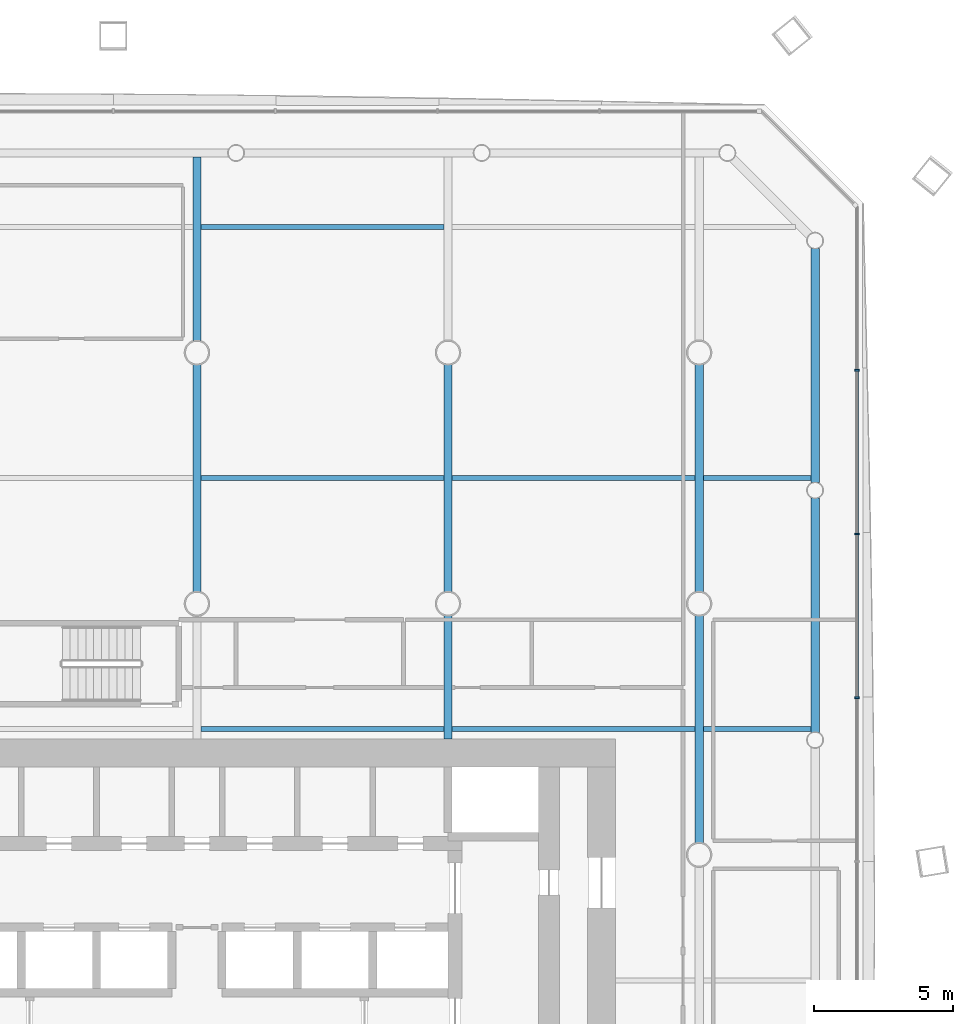
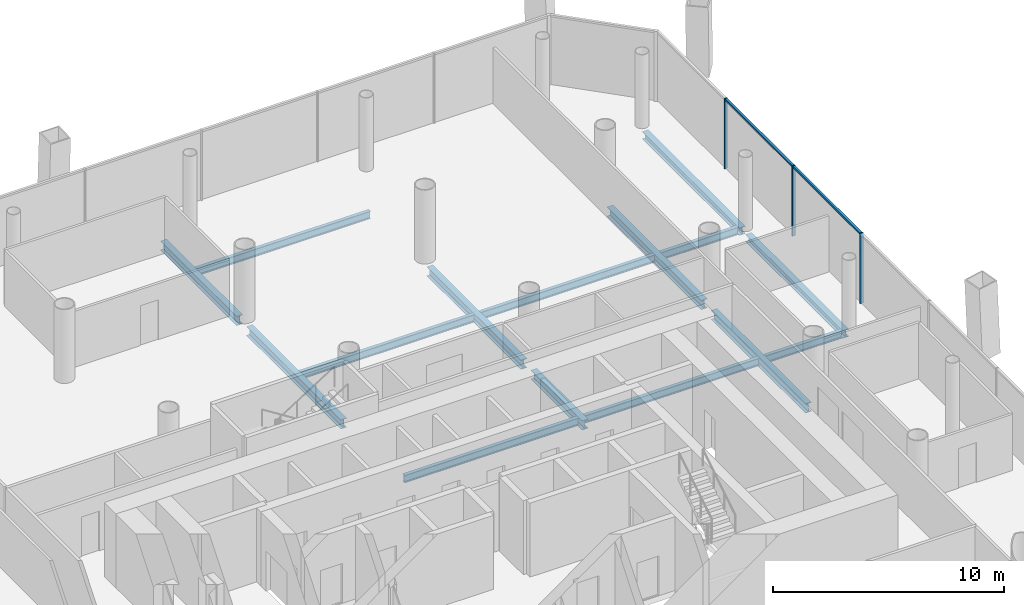
# One storey, part 10 of 21: 15 beams, 5 members, 1 element without a shape of its own.
"""IFC4 building model written with IfcOpenShell, lengths in metres."""

from ifc_helpers import new_model, si_unit, direction, frame, origin, origin_2d, place, context, subcontext, project, spatial, rectangle, i_section, extrude, material, material_profile, profile_set, type_object, element, aggregate, save


model = new_model("IFC4")

# Units and contexts
model_context = context("Model", 3, precision=1e-05, world=origin(), true_north=direction((0.0, 1.0)))
body_context = subcontext(model_context, "Body", "Model", "MODEL_VIEW")
ifc_project = project(units=[si_unit("LENGTHUNIT", "METRE"), si_unit("AREAUNIT", "SQUARE_METRE"), si_unit("VOLUMEUNIT", "CUBIC_METRE"), si_unit("PLANEANGLEUNIT", "RADIAN"), si_unit("MASSUNIT", "GRAM", prefix="KILO")], contexts=[model_context])

# Site, building, storey
site_placement = place(None, origin())
site = spatial("IfcSite", under=ifc_project, at=site_placement, CompositionType="ELEMENT")
building_placement = place(site_placement, origin())
building = spatial("IfcBuilding", under=site, at=building_placement, Name="Tskaro Facet Tower", CompositionType="ELEMENT")
storey_placement = place(building_placement, frame((0.0, 0.0, 42.0)))
storey = spatial("IfcBuildingStorey", under=building, at=storey_placement, Name="L09", CompositionType="ELEMENT", Elevation=42.0)

# Curtain wall, members
ifc_material_1 = material(Name="Bronze anodised aluminium 6063-T6", Category="aluminium")
curtain_wall_type = type_object("IfcCurtainWallType", Name="Bronze office curtain wall (FW1)", PredefinedType="NOTDEFINED", material=ifc_material_1)
curtain_wall_placement = place(storey_placement, origin())
curtain_wall = element("IfcCurtainWall", 1, at=curtain_wall_placement, inside=storey, type_object=curtain_wall_type, Name="FW1 east facet L09", PredefinedType="NOTDEFINED")
ifc_material_profile_1 = material_profile(ifc_material_1, rectangle(XDim=0.06005859375, YDim=0.159912109375, at=origin_2d()), Name="Mullion 60x160")
ifc_profile_set_1 = profile_set([ifc_material_profile_1], Name="Bronze anodised aluminium 6063-T6")
member_type_1 = type_object("IfcMemberType", Name="FW1 bronze mullion 60x160", PredefinedType="MULLION", material=ifc_profile_set_1)
member_1_placement = place(storey_placement, frame((23.654052734375, 5.62939453125, 0.0), z_axis=(0.0, 0.0, 1.0), x_axis=(0.0, 1.0, 0.0)))
member_1 = element("IfcMember", 2, at=member_1_placement, type_object=member_type_1, Name="FW1 east mullion 5", PredefinedType="MULLION", context=body_context, shape_type="SweptSolid", body=[
    extrude(rectangle(XDim=0.06005859375, YDim=0.159912109375, at=origin_2d()), origin(), (0.0, 0.0, 1.0), 3.699951171875),
])
member_2_placement = place(storey_placement, frame((23.654052734375, 11.498046875, 0.0), z_axis=(0.0, 0.0, 1.0), x_axis=(0.0, 1.0, 0.0)))
member_2 = element("IfcMember", 3, at=member_2_placement, type_object=member_type_1, Name="FW1 east mullion 6", PredefinedType="MULLION", context=body_context, shape_type="SweptSolid", body=[
    extrude(rectangle(XDim=0.06005859375, YDim=0.159912109375, at=origin_2d()), origin(), (0.0, 0.0, 1.0), 3.699951171875),
])
member_3_placement = place(storey_placement, frame((23.654052734375, 17.366455078125, 0.0), z_axis=(0.0, 0.0, 1.0), x_axis=(0.0, 1.0, 0.0)))
member_3 = element("IfcMember", 4, at=member_3_placement, type_object=member_type_1, Name="FW1 east mullion 7", PredefinedType="MULLION", context=body_context, shape_type="SweptSolid", body=[
    extrude(rectangle(XDim=0.06005859375, YDim=0.159912109375, at=origin_2d()), origin(), (0.0, 0.0, 1.0), 3.699951171875),
])
ifc_material_profile_2 = material_profile(ifc_material_1, rectangle(XDim=0.1201171875, YDim=0.10009765625, at=origin_2d()), Name="Transom 120x100")
ifc_profile_set_2 = profile_set([ifc_material_profile_2], Name="Bronze anodised aluminium 6063-T6")
member_type_2 = type_object("IfcMemberType", Name="FW1 bronze transom 120x100", PredefinedType="USERDEFINED", material=ifc_profile_set_2)
member_4_placement = place(storey_placement, frame((23.654052734375, 5.659423828125, 3.64990234375), z_axis=(0.0, 1.0, 0.0), x_axis=(-1.0, 0.0, 0.0)))
member_4 = element("IfcMember", 5, at=member_4_placement, type_object=member_type_2, Name="FW1 east transom 6.1", ObjectType="TRANSOM", PredefinedType="USERDEFINED", context=body_context, shape_type="SweptSolid", body=[
    extrude(rectangle(XDim=0.1201171875, YDim=0.10009765625, at=origin_2d()), origin(), (0.0, 0.0, 1.0), 5.80859375),
])
member_5_placement = place(storey_placement, frame((23.654052734375, 11.528076171875, 3.64990234375), z_axis=(0.0, 1.0, 0.0), x_axis=(-1.0, 0.0, 0.0)))
member_5 = element("IfcMember", 6, at=member_5_placement, type_object=member_type_2, Name="FW1 east transom 7.1", ObjectType="TRANSOM", PredefinedType="USERDEFINED", context=body_context, shape_type="SweptSolid", body=[
    extrude(rectangle(XDim=0.1201171875, YDim=0.10009765625, at=origin_2d()), origin(), (0.0, 0.0, 1.0), 5.808349609375),
])
aggregate(curtain_wall, [member_1, member_2, member_3, member_4, member_5])

# Beams
ifc_material_2 = material(Name="Steel S355J2", Category="steel")
ifc_material_profile_3 = material_profile(ifc_material_2, i_section(OverallWidth=0.300048828125, OverallDepth=0.39990234375, WebThickness=0.013427734375, FlangeThickness=0.02392578125, FilletRadius=0.027099609375, at=origin_2d()), Name="HE 400 B")
ifc_profile_set_3 = profile_set([ifc_material_profile_3], Name="Steel S355J2")
beam_type_1 = type_object("IfcBeamType", Name="HE 400 B ring beam", PredefinedType="BEAM", material=ifc_profile_set_3)
for number, where, z_axis, x_axis, name in (
    (7, (22.156982421875, 4.39111328125, -0.340087890625), (0.0, 1.0, 0.0), (-1.0, 0.0, 0.0), "HE 400 B EB11-1"),
    (8, (22.156982421875, 13.339111328125, -0.340087890625), (0.0, 1.0, 0.0), (-1.0, 0.0, 0.0), "HE 400 B EB12-1"),
):
    element("IfcBeam", number, at=place(storey_placement, frame(where, z_axis=z_axis, x_axis=x_axis)), inside=storey, type_object=beam_type_1, Name=name, PredefinedType="BEAM", context=body_context, shape_type="SweptSolid", body=[
        extrude(i_section(OverallWidth=0.300048828125, OverallDepth=0.39990234375, WebThickness=0.013427734375, FlangeThickness=0.02392578125, FilletRadius=0.027099609375, at=origin_2d()), origin(), (0.0, 0.0, 1.0), 8.39794921875),
    ])
ifc_material_profile_4 = material_profile(ifc_material_2, i_section(OverallWidth=0.300048828125, OverallDepth=0.489990234375, WebThickness=0.011962890625, FlangeThickness=0.02294921875, FilletRadius=0.027099609375, at=origin_2d()), Name="HE 500 A")
ifc_profile_set_4 = profile_set([ifc_material_profile_4], Name="Steel S355J2")
beam_type_2 = type_object("IfcBeamType", Name="HE 500 A girder", PredefinedType="BEAM", material=ifc_profile_set_4)
beam_1_placement = place(storey_placement, frame((0.0, 9.42724609375, -0.385009765625), z_axis=(0.0, 1.0, 0.0), x_axis=(-1.0, 0.0, 0.0)))
element("IfcBeam", 9, at=beam_1_placement, inside=storey, type_object=beam_type_2, Name="HE 500 A GB4-4-1", PredefinedType="BEAM", context=body_context, shape_type="SweptSolid", body=[
    extrude(i_section(OverallWidth=0.300048828125, OverallDepth=0.489990234375, WebThickness=0.011962890625, FlangeThickness=0.02294921875, FilletRadius=0.027099609375, at=origin_2d()), origin(), (0.0, 0.0, 1.0), 8.1455078125),
])
beam_2_placement = place(storey_placement, frame((0.0, 18.42724609375, -0.385009765625), z_axis=(0.0, 1.0, 0.0), x_axis=(-1.0, 0.0, 0.0)))
element("IfcBeam", 10, at=beam_2_placement, inside=storey, type_object=beam_type_2, Name="HE 500 A GB4-5-1", PredefinedType="BEAM", context=body_context, shape_type="SweptSolid", body=[
    extrude(i_section(OverallWidth=0.300048828125, OverallDepth=0.489990234375, WebThickness=0.011962890625, FlangeThickness=0.02294921875, FilletRadius=0.027099609375, at=origin_2d()), origin(), (0.0, 0.0, 1.0), 6.579833984375),
])
beam_3_placement = place(storey_placement, frame((9.0, 4.14990234375, -0.385009765625), z_axis=(0.0, 1.0, 0.0), x_axis=(-1.0, 0.0, 0.0)))
element("IfcBeam", 11, at=beam_3_placement, inside=storey, type_object=beam_type_2, Name="HE 500 A GB5-3-1", PredefinedType="BEAM", context=body_context, shape_type="SweptSolid", body=[
    extrude(i_section(OverallWidth=0.300048828125, OverallDepth=0.489990234375, WebThickness=0.011962890625, FlangeThickness=0.02294921875, FilletRadius=0.027099609375, at=origin_2d()), origin(), (0.0, 0.0, 1.0), 4.4228515625),
])
for number, where, z_axis, x_axis, name in (
    (12, (9.0, 9.42724609375, -0.385009765625), (0.0, 1.0, 0.0), (-1.0, 0.0, 0.0), "HE 500 A GB5-4-1"),
    (13, (18.0, 0.42724609375, -0.385009765625), (0.0, 1.0, 0.0), (-1.0, 0.0, 0.0), "HE 500 A GB6-4-1"),
    (14, (18.0, 9.42724609375, -0.385009765625), (0.0, 1.0, 0.0), (-1.0, 0.0, 0.0), "HE 500 A GB6-5-1"),
):
    element("IfcBeam", number, at=place(storey_placement, frame(where, z_axis=z_axis, x_axis=x_axis)), inside=storey, type_object=beam_type_2, Name=name, PredefinedType="BEAM", context=body_context, shape_type="SweptSolid", body=[
        extrude(i_section(OverallWidth=0.300048828125, OverallDepth=0.489990234375, WebThickness=0.011962890625, FlangeThickness=0.02294921875, FilletRadius=0.027099609375, at=origin_2d()), origin(), (0.0, 0.0, 1.0), 8.1455078125),
    ])
ifc_material_profile_5 = material_profile(ifc_material_2, i_section(OverallWidth=0.179931640625, OverallDepth=0.39990234375, WebThickness=0.008544921875, FlangeThickness=0.013427734375, FilletRadius=0.02099609375, at=origin_2d()), Name="IPE 400")
ifc_profile_set_5 = profile_set([ifc_material_profile_5], Name="Steel S355J2")
beam_type_3 = type_object("IfcBeamType", Name="IPE 400 secondary beam", PredefinedType="BEAM", material=ifc_profile_set_5)
for number, where, z_axis, x_axis, name in (
    (15, (0.14990234375, 4.5, -0.340087890625), (1.0, 0.0, 0.0), (0.0, 1.0, 0.0), "IPE 400 SB4a-4-1"),
    (16, (9.14990234375, 4.5, -0.340087890625), (1.0, 0.0, 0.0), (0.0, 1.0, 0.0), "IPE 400 SB4a-5-1"),
):
    element("IfcBeam", number, at=place(storey_placement, frame(where, z_axis=z_axis, x_axis=x_axis)), inside=storey, type_object=beam_type_3, Name=name, PredefinedType="BEAM", context=body_context, shape_type="SweptSolid", body=[
        extrude(i_section(OverallWidth=0.179931640625, OverallDepth=0.39990234375, WebThickness=0.008544921875, FlangeThickness=0.013427734375, FilletRadius=0.02099609375, at=origin_2d()), origin(), (0.0, 0.0, 1.0), 8.7001953125),
    ])
beam_4_placement = place(storey_placement, frame((18.14990234375, 4.5, -0.340087890625), z_axis=(1.0, 0.0, 0.0), x_axis=(0.0, 1.0, 0.0)))
element("IfcBeam", 17, at=beam_4_placement, inside=storey, type_object=beam_type_3, Name="IPE 400 SB4a-6-1", PredefinedType="BEAM", context=body_context, shape_type="SweptSolid", body=[
    extrude(i_section(OverallWidth=0.179931640625, OverallDepth=0.39990234375, WebThickness=0.008544921875, FlangeThickness=0.013427734375, FilletRadius=0.02099609375, at=origin_2d()), origin(), (0.0, 0.0, 1.0), 3.857177734375),
])
for number, where, z_axis, x_axis, name in (
    (18, (0.14990234375, 13.5, -0.340087890625), (1.0, 0.0, 0.0), (0.0, 1.0, 0.0), "IPE 400 SB5a-4-1"),
    (19, (9.14990234375, 13.5, -0.340087890625), (1.0, 0.0, 0.0), (0.0, 1.0, 0.0), "IPE 400 SB5a-5-1"),
):
    element("IfcBeam", number, at=place(storey_placement, frame(where, z_axis=z_axis, x_axis=x_axis)), inside=storey, type_object=beam_type_3, Name=name, PredefinedType="BEAM", context=body_context, shape_type="SweptSolid", body=[
        extrude(i_section(OverallWidth=0.179931640625, OverallDepth=0.39990234375, WebThickness=0.008544921875, FlangeThickness=0.013427734375, FilletRadius=0.02099609375, at=origin_2d()), origin(), (0.0, 0.0, 1.0), 8.7001953125),
    ])
beam_5_placement = place(storey_placement, frame((18.14990234375, 13.5, -0.340087890625), z_axis=(1.0, 0.0, 0.0), x_axis=(0.0, 1.0, 0.0)))
element("IfcBeam", 20, at=beam_5_placement, inside=storey, type_object=beam_type_3, Name="IPE 400 SB5a-6-1", PredefinedType="BEAM", context=body_context, shape_type="SweptSolid", body=[
    extrude(i_section(OverallWidth=0.179931640625, OverallDepth=0.39990234375, WebThickness=0.008544921875, FlangeThickness=0.013427734375, FilletRadius=0.02099609375, at=origin_2d()), origin(), (0.0, 0.0, 1.0), 3.857177734375),
])
beam_6_placement = place(storey_placement, frame((0.14990234375, 22.5, -0.340087890625), z_axis=(1.0, 0.0, 0.0), x_axis=(0.0, 1.0, 0.0)))
element("IfcBeam", 21, at=beam_6_placement, inside=storey, type_object=beam_type_3, Name="IPE 400 SB6a-4-1", PredefinedType="BEAM", context=body_context, shape_type="SweptSolid", body=[
    extrude(i_section(OverallWidth=0.179931640625, OverallDepth=0.39990234375, WebThickness=0.008544921875, FlangeThickness=0.013427734375, FilletRadius=0.02099609375, at=origin_2d()), origin(), (0.0, 0.0, 1.0), 8.7001953125),
])

save(model, "model.ifc")
